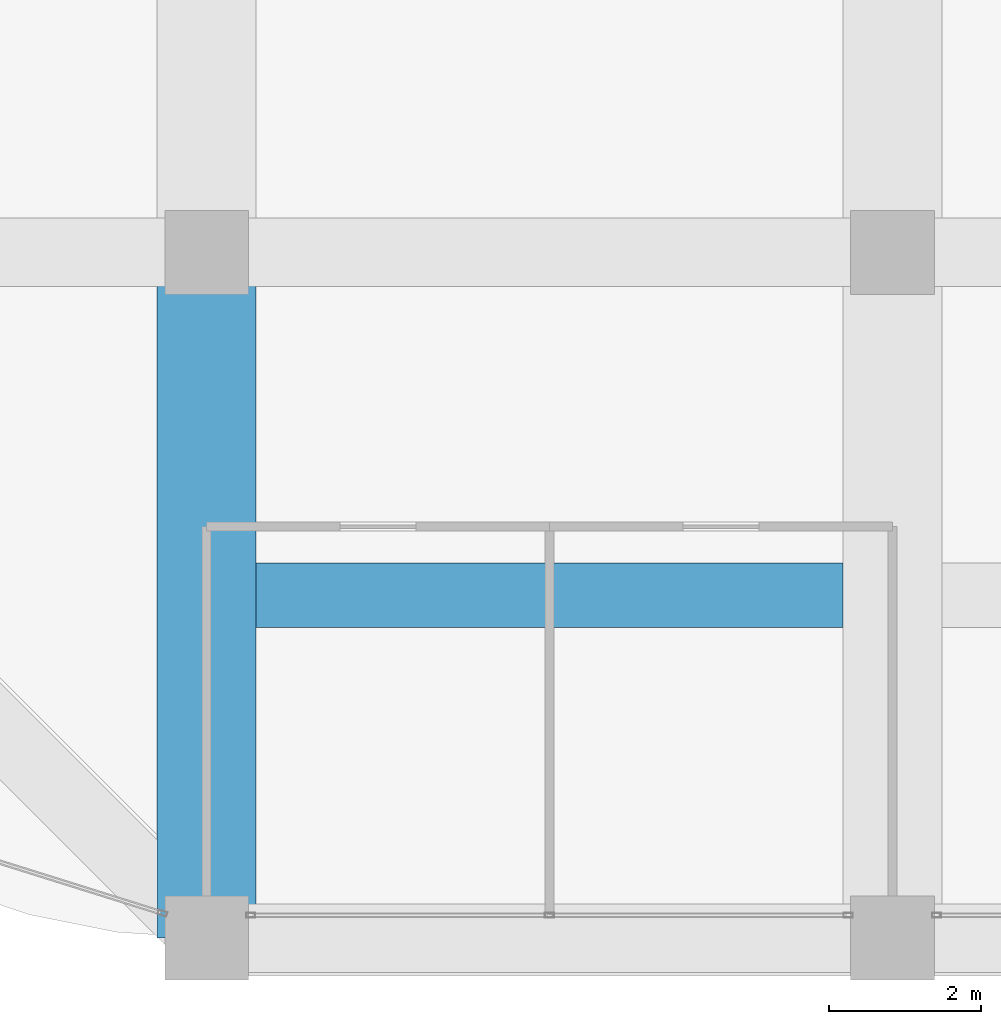
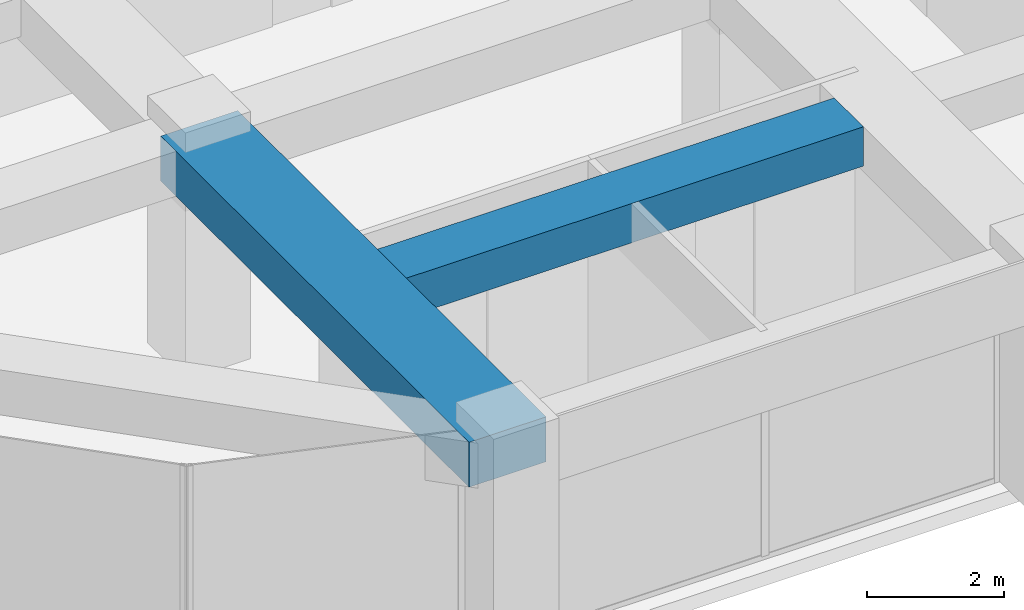
# One storey, part 5 of 44: 2 beams.
"""IFC4 building model written with IfcOpenShell, lengths in metres."""

from ifc_helpers import new_model, si_unit, direction, frame, origin, origin_2d, place, context, subcontext, project, spatial, rectangle, extrude, material, material_profile, profile_set, type_object, element, save


model = new_model("IFC4")

# Units and contexts
model_context = context("Model", 3, precision=1e-05, world=origin(), true_north=direction((0.0, 1.0)))
body_context = subcontext(model_context, "Body", "Model", "MODEL_VIEW")
ifc_project = project(units=[si_unit("LENGTHUNIT", "METRE"), si_unit("AREAUNIT", "SQUARE_METRE"), si_unit("VOLUMEUNIT", "CUBIC_METRE"), si_unit("PLANEANGLEUNIT", "RADIAN"), si_unit("MASSUNIT", "GRAM", prefix="KILO")], contexts=[model_context])

# Site, building, storey
site_placement = place(None, origin())
site = spatial("IfcSite", under=ifc_project, at=site_placement, CompositionType="ELEMENT")
building_placement = place(site_placement, origin())
building = spatial("IfcBuilding", under=site, at=building_placement, Name="Zorevar Civic Tower", CompositionType="ELEMENT")
storey_placement = place(building_placement, frame((0.0, 0.0, 307.39990234375)))
storey = spatial("IfcBuildingStorey", under=building, at=storey_placement, Name="L75", CompositionType="ELEMENT", Elevation=307.39990234375)

# Beams
ifc_material_1 = material(Name="Concrete C50/60", Category="concrete")
ifc_material_profile_1 = material_profile(ifc_material_1, rectangle(XDim=1.300048828125, YDim=0.800048828125, at=origin_2d()), Name="RC 1300x800")
ifc_profile_set_1 = profile_set([ifc_material_profile_1], Name="Concrete C50/60")
beam_type_1 = type_object("IfcBeamType", Name="Beam RC 1300x800", PredefinedType="BEAM", material=ifc_profile_set_1)
beam_1_placement = place(storey_placement, frame((18.0, 0.0, 3.650146484375), z_axis=(0.0, 1.0, 0.0), x_axis=(-1.0, 0.0, 0.0)))
element("IfcBeam", 1, at=beam_1_placement, inside=storey, type_object=beam_type_1, Name="Girder RF", PredefinedType="BEAM", context=body_context, shape_type="SweptSolid", body=[
    extrude(rectangle(XDim=1.300048828125, YDim=0.800048828125, at=origin_2d()), origin(), (0.0, 0.0, 1.0), 9.0),
])
ifc_material_2 = material(Name="Concrete C50/60", Category="concrete")
ifc_material_profile_2 = material_profile(ifc_material_2, rectangle(XDim=0.85009765625, YDim=0.699951171875, at=origin_2d()), Name="RC 850x700")
ifc_profile_set_2 = profile_set([ifc_material_profile_2], Name="Concrete C50/60")
beam_type_2 = type_object("IfcBeamType", Name="Beam RC 850x700", PredefinedType="BEAM", material=ifc_profile_set_2)
beam_2_placement = place(storey_placement, frame((18.64990234375, 4.5, 3.7001953125), z_axis=(1.0, 0.0, 0.0), x_axis=(0.0, 1.0, 0.0)))
element("IfcBeam", 2, at=beam_2_placement, inside=storey, type_object=beam_type_2, Name="Secondary beam RF", PredefinedType="BEAM", context=body_context, shape_type="SweptSolid", body=[
    extrude(rectangle(XDim=0.85009765625, YDim=0.699951171875, at=origin_2d()), origin(), (0.0, 0.0, 1.0), 7.7001953125),
])

save(model, "model.ifc")
